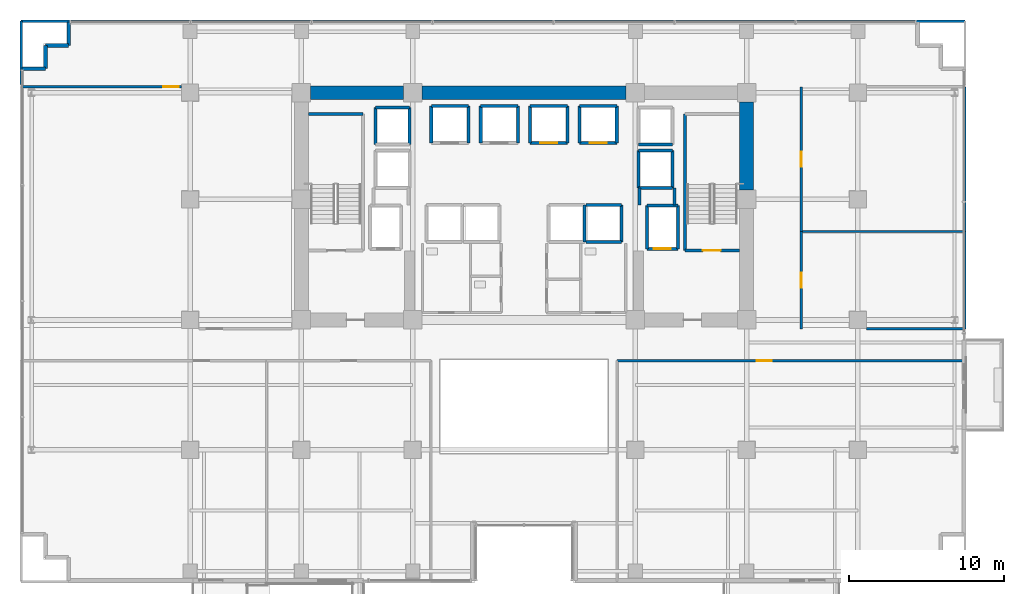
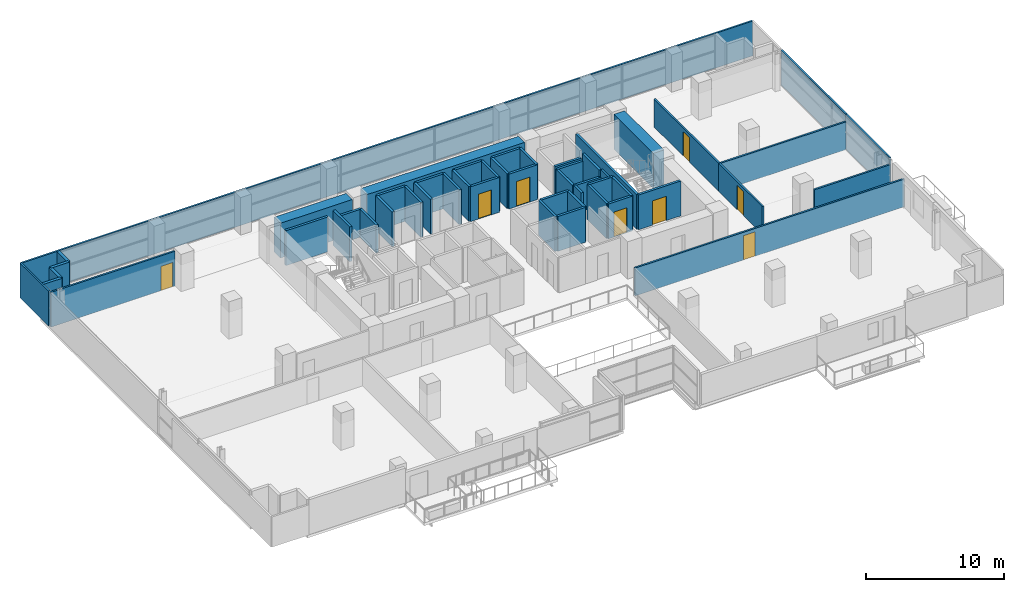
# One storey, part 24 of 30: 52 walls, 8 doors, 8 openings.
"""IFC4 building model written with IfcOpenShell, lengths in metres."""

from ifc_helpers import new_model, si_unit, direction, frame, frame_2d, origin, place, context, subcontext, project, spatial, rectangle, extrude, source, transform, mapped, material, layer, layer_set, type_object, element, fill, save


model = new_model("IFC4")

# Units and contexts
model_context = context("Model", 3, precision=1e-05, world=origin(), true_north=direction((0.0, 1.0)))
body_context = subcontext(model_context, "Body", "Model", "MODEL_VIEW")
ifc_project = project(units=[si_unit("LENGTHUNIT", "METRE"), si_unit("AREAUNIT", "SQUARE_METRE"), si_unit("VOLUMEUNIT", "CUBIC_METRE"), si_unit("PLANEANGLEUNIT", "RADIAN"), si_unit("MASSUNIT", "GRAM", prefix="KILO")], contexts=[model_context])

# Site, building, storey
site_placement = place(None, origin())
site = spatial("IfcSite", under=ifc_project, at=site_placement, CompositionType="ELEMENT")
building_placement = place(site_placement, origin())
building = spatial("IfcBuilding", under=site, at=building_placement, Name="Zarnakvel Exchange Tower", CompositionType="ELEMENT")
storey_placement = place(building_placement, frame((0.0, 0.0, 30.699951171875)))
storey = spatial("IfcBuildingStorey", under=building, at=storey_placement, Name="L07", CompositionType="ELEMENT", Elevation=30.699951171875)

# Walls
ifc_material_1 = material(Name="Concrete C80/95", Category="concrete")
ifc_layer_1 = layer(ifc_material_1, 0.89990234375)
ifc_layer_set_1 = layer_set([ifc_layer_1], Name="Concrete C80/95")
wall_type_1 = type_object("IfcWallType", Name="CW-C1", PredefinedType="SHEAR", material=ifc_layer_set_1)
wall_1_placement = place(storey_placement, frame((-13.800048828125, 13.5, 0.0), z_axis=(0.0, 0.0, 1.0), x_axis=(1.0, 0.0, 0.0)))
element("IfcWall", 1, at=wall_1_placement, inside=storey, type_object=wall_type_1, Name="L07 Rear Core Shear Wall N1 (CW-C1)", PredefinedType="SHEAR", context=body_context, shape_type="SweptSolid", body=[
    extrude(rectangle(XDim=6.0, YDim=0.89990234375, at=frame_2d((3.0, 0.0))), origin(), (0.0, 0.0, 1.0), 3.074951171875),
])
wall_2_placement = place(storey_placement, frame((-6.60009765625, 13.5, 0.0), z_axis=(0.0, 0.0, 1.0), x_axis=(1.0, 0.0, 0.0)))
element("IfcWall", 2, at=wall_2_placement, inside=storey, type_object=wall_type_1, Name="L07 Rear Core Shear Wall N2 (CW-C1)", PredefinedType="SHEAR", context=body_context, shape_type="SweptSolid", body=[
    extrude(rectangle(XDim=13.2001953125, YDim=0.89990234375, at=frame_2d((6.60009765625, 0.0))), origin(), (0.0, 0.0, 1.0), 3.074951171875),
])
wall_3_placement = place(storey_placement, frame((14.39990234375, 7.199951171875, 0.0), z_axis=(0.0, 0.0, 1.0), x_axis=(0.0, 1.0, 0.0)))
element("IfcWall", 3, at=wall_3_placement, inside=storey, type_object=wall_type_1, Name="L07 Rear Core Shear Wall E2 (CW-C1)", PredefinedType="SHEAR", context=body_context, shape_type="SweptSolid", body=[
    extrude(rectangle(XDim=5.699951171875, YDim=0.89990234375, at=frame_2d((2.85009765625, 0.0))), origin(), (0.0, 0.0, 1.0), 3.074951171875),
])
ifc_material_2 = material(Name="Precast concrete C40/50", Category="concrete")
ifc_layer_2 = layer(ifc_material_2, 0.239990234375)
ifc_layer_set_2 = layer_set([ifc_layer_2], Name="Precast concrete C40/50")
wall_type_2 = type_object("IfcWallType", Name="EW-02", PredefinedType="SOLIDWALL", material=ifc_layer_set_2)
for number, where, z_axis, x_axis, name in (
    (4, (-30.9599609375, 15.06005859375, 0.0), (0.0, 0.0, 1.0), (-1.0, 0.0, 0.0), "L07 Exterior Precast Spandrel Wall EWC-L07-01 (EW-02)"),
    (5, (-30.9599609375, 16.56005859375, 0.0), (0.0, 0.0, 1.0), (0.0, -1.0, 0.0), "L07 Exterior Precast Spandrel Wall EWC-L07-02 (EW-02)"),
    (6, (-29.4599609375, 16.56005859375, 0.0), (0.0, 0.0, 1.0), (-1.0, 0.0, 0.0), "L07 Exterior Precast Spandrel Wall EWC-L07-03 (EW-02)"),
    (7, (-29.4599609375, 18.06005859375, 0.0), (0.0, 0.0, 1.0), (0.0, -1.0, 0.0), "L07 Exterior Precast Spandrel Wall EWC-L07-04 (EW-02)"),
):
    element("IfcWall", number, at=place(storey_placement, frame(where, z_axis=z_axis, x_axis=x_axis)), inside=storey, type_object=wall_type_2, Name=name, PredefinedType="SOLIDWALL", context=body_context, shape_type="SweptSolid", body=[
        extrude(rectangle(XDim=1.5, YDim=0.239990234375, at=frame_2d((0.75, 0.0))), origin(), (0.0, 0.0, 1.0), 3.074951171875),
    ])

# Wall, opening, door
ifc_material_3 = material(Name="Fire-Rated Gypsum Stud Partition", Category="gypsum")
ifc_layer_3 = layer(ifc_material_3, 0.14990234375)
ifc_layer_set_3 = layer_set([ifc_layer_3], Name="Fire-Rated Gypsum Stud Partition")
wall_type_3 = type_object("IfcWallType", Name="PT-01", PredefinedType="PARTITIONING", material=ifc_layer_set_3)
wall_4_placement = place(storey_placement, frame((6.02001953125, -3.830078125, 0.0), z_axis=(0.0, 0.0, 1.0), x_axis=(1.0, 0.0, 0.0)))
wall_4 = element("IfcWall", 8, at=wall_4_placement, inside=storey, type_object=wall_type_3, Name="L07 Partition Wall PWALL-L07-034 (PT-01)", PredefinedType="PARTITIONING", context=body_context, shape_type="SweptSolid", body=[
    extrude(rectangle(XDim=22.510009765625, YDim=0.14990234375, at=frame_2d((11.2548828125, 0.0))), origin(), (0.0, 0.0, 1.0), 2.465087890625),
])
opening_1_placement = place(wall_4_placement, frame((9.0400390625, 0.0, 0.0)))
opening_1 = element("IfcOpeningElement", 9, at=opening_1_placement, cuts=wall_4, Name="Opening D-L07-13", PredefinedType="OPENING", context=body_context, shape_type="SweptSolid", body=[
    extrude(rectangle(XDim=0.97998046875, YDim=2.14990234375, at=frame_2d((0.489990234375, 1.074951171875))), frame((0.0, 0.0849609375, 0.0), z_axis=(0.0, -1.0, 0.0), x_axis=(1.0, 0.0, 0.0)), (0.0, 0.0, 1.0), 0.169921875),
])
ifc_material_4 = material(Name="Timber Acoustic Veneer", Category="wood")
door_type_1 = type_object("IfcDoorType", Name="DT-05", OperationType="NOTDEFINED", PredefinedType="DOOR", material=ifc_material_4)
shared_shape_1 = source(origin(), body_context, "Body", "SweptSolid", [
    extrude(rectangle(XDim=0.97998046875, YDim=2.14990234375, at=frame_2d((0.489990234375, 1.074951171875))), frame((0.0, 0.02490234375, 0.0), z_axis=(0.0, -1.0, 0.0), x_axis=(1.0, 0.0, 0.0)), (0.0, 0.0, 1.0), 0.050048828125),
])
door_1_placement = place(opening_1_placement, origin())
door_1 = element("IfcDoor", 10, at=door_1_placement, inside=storey, type_object=door_type_1, Name="L07 Executive Office Door D-L07-13", OperationType="SINGLE_SWING_RIGHT", OverallHeight=2.14990234375, OverallWidth=0.97998046875, PredefinedType="DOOR", context=body_context, shape_type="MappedRepresentation", body=[
    mapped(shared_shape_1, transform((0.0, 0.0, 0.0), x_axis=(1.0, 0.0, 0.0), y_axis=(0.0, 1.0, 0.0), z_axis=(0.0, 0.0, 1.0), scale=1.0)),
])
fill(opening_1, door_1)

wall_5_placement = place(storey_placement, frame((-32.530029296875, 13.8798828125, 0.0), z_axis=(0.0, 0.0, 1.0), x_axis=(1.0, 0.0, 0.0)))
wall_5 = element("IfcWall", 11, at=wall_5_placement, inside=storey, type_object=wall_type_3, Name="L07 Partition Wall PWALL-L07-038 (PT-01)", PredefinedType="PARTITIONING", context=body_context, shape_type="SweptSolid", body=[
    extrude(rectangle(XDim=10.360107421875, YDim=0.14990234375, at=frame_2d((5.18017578125, 0.0))), origin(), (0.0, 0.0, 1.0), 3.074951171875),
])
opening_2_placement = place(wall_5_placement, frame((9.199951171875, 0.0, 0.0)))
opening_2 = element("IfcOpeningElement", 12, at=opening_2_placement, cuts=wall_5, Name="Opening D-L07-17", PredefinedType="OPENING", context=body_context, shape_type="SweptSolid", body=[
    extrude(rectangle(XDim=0.97998046875, YDim=2.14990234375, at=frame_2d((0.489990234375, 1.074951171875))), frame((0.0, 0.0849609375, 0.0), z_axis=(0.0, -1.0, 0.0), x_axis=(1.0, 0.0, 0.0)), (0.0, 0.0, 1.0), 0.169921875),
])
door_2_placement = place(opening_2_placement, origin())
door_2 = element("IfcDoor", 13, at=door_2_placement, inside=storey, type_object=door_type_1, Name="L07 Market Data Suite Door D-L07-17", OperationType="SINGLE_SWING_RIGHT", OverallHeight=2.14990234375, OverallWidth=0.97998046875, PredefinedType="DOOR", context=body_context, shape_type="MappedRepresentation", body=[
    mapped(shared_shape_1, transform((0.0, 0.0, 0.0), x_axis=(1.0, 0.0, 0.0), y_axis=(0.0, 1.0, 0.0), z_axis=(0.0, 0.0, 1.0), scale=1.0)),
])
fill(opening_2, door_2)

# Walls
wall_6_placement = place(storey_placement, frame((28.530029296875, -1.77001953125, 0.0), z_axis=(0.0, 0.0, 1.0), x_axis=(-1.0, 0.0, 0.0)))
element("IfcWall", 14, at=wall_6_placement, inside=storey, type_object=wall_type_3, Name="L07 Partition Wall PWALL-L07-040 (PT-01)", PredefinedType="PARTITIONING", context=body_context, shape_type="SweptSolid", body=[
    extrude(rectangle(XDim=6.360107421875, YDim=0.14990234375, at=frame_2d((3.18017578125, 0.0))), origin(), (0.0, 0.0, 1.0), 2.465087890625),
])
wall_7_placement = place(storey_placement, frame((17.929931640625, 4.52197265625, 0.0), z_axis=(0.0, 0.0, 1.0), x_axis=(1.0, 0.0, 0.0)))
element("IfcWall", 15, at=wall_7_placement, inside=storey, type_object=wall_type_3, Name="L07 Partition Wall PWALL-L07-041 (PT-01)", PredefinedType="PARTITIONING", context=body_context, shape_type="SweptSolid", body=[
    extrude(rectangle(XDim=10.60009765625, YDim=0.14990234375, at=frame_2d((5.300048828125, 0.0))), origin(), (0.0, 0.0, 1.0), 2.465087890625),
])

# Wall, opening, door
wall_8_placement = place(storey_placement, frame((17.929931640625, -1.77001953125, 0.0), z_axis=(0.0, 0.0, 1.0), x_axis=(0.0, 1.0, 0.0)))
wall_8 = element("IfcWall", 16, at=wall_8_placement, inside=storey, type_object=wall_type_3, Name="L07 Partition Wall PWALL-L07-042 (PT-01)", PredefinedType="PARTITIONING", context=body_context, shape_type="SweptSolid", body=[
    extrude(rectangle(XDim=6.2919921875, YDim=0.14990234375, at=frame_2d((3.14599609375, 0.0))), origin(), (0.0, 0.0, 1.0), 2.465087890625),
])
opening_3_placement = place(wall_8_placement, frame((2.656005859375, 0.0, 0.0)))
opening_3 = element("IfcOpeningElement", 17, at=opening_3_placement, cuts=wall_8, Name="Opening D-L07-15", PredefinedType="OPENING", context=body_context, shape_type="SweptSolid", body=[
    extrude(rectangle(XDim=0.97998046875, YDim=2.14990234375, at=frame_2d((0.489990234375, 1.074951171875))), frame((0.0, 0.0849609375, 0.0), z_axis=(0.0, -1.0, 0.0), x_axis=(1.0, 0.0, 0.0)), (0.0, 0.0, 1.0), 0.169921875),
])
door_3_placement = place(opening_3_placement, origin())
door_3 = element("IfcDoor", 18, at=door_3_placement, inside=storey, type_object=door_type_1, Name="L07 Staff Pantry Door D-L07-15", OperationType="SINGLE_SWING_RIGHT", OverallHeight=2.14990234375, OverallWidth=0.97998046875, PredefinedType="DOOR", context=body_context, shape_type="MappedRepresentation", body=[
    mapped(shared_shape_1, transform((0.0, 0.0, 0.0), x_axis=(1.0, 0.0, 0.0), y_axis=(0.0, 1.0, 0.0), z_axis=(0.0, 0.0, 1.0), scale=1.0)),
])
fill(opening_3, door_3)

# Wall
wall_9_placement = place(storey_placement, frame((28.530029296875, 4.52197265625, 0.0), z_axis=(0.0, 0.0, 1.0), x_axis=(0.0, -1.0, 0.0)))
element("IfcWall", 19, at=wall_9_placement, inside=storey, type_object=wall_type_3, Name="L07 Partition Wall PWALL-L07-043 (PT-01)", PredefinedType="PARTITIONING", context=body_context, shape_type="SweptSolid", body=[
    extrude(rectangle(XDim=6.2919921875, YDim=0.14990234375, at=frame_2d((3.14599609375, 0.0))), origin(), (0.0, 0.0, 1.0), 3.074951171875),
])

# Wall, opening, door
wall_10_placement = place(storey_placement, frame((17.929931640625, 4.52197265625, 0.0), z_axis=(0.0, 0.0, 1.0), x_axis=(0.0, 1.0, 0.0)))
wall_10 = element("IfcWall", 20, at=wall_10_placement, inside=storey, type_object=wall_type_3, Name="L07 Partition Wall PWALL-L07-045 (PT-01)", PredefinedType="PARTITIONING", context=body_context, shape_type="SweptSolid", body=[
    extrude(rectangle(XDim=9.35791015625, YDim=0.14990234375, at=frame_2d((4.678955078125, 0.0))), origin(), (0.0, 0.0, 1.0), 2.465087890625),
])
opening_4_placement = place(wall_10_placement, frame((4.18896484375, 0.0, 0.0)))
opening_4 = element("IfcOpeningElement", 21, at=opening_4_placement, cuts=wall_10, Name="Opening D-L07-16", PredefinedType="OPENING", context=body_context, shape_type="SweptSolid", body=[
    extrude(rectangle(XDim=0.97998046875, YDim=2.14990234375, at=frame_2d((0.489990234375, 1.074951171875))), frame((0.0, 0.0849609375, 0.0), z_axis=(0.0, -1.0, 0.0), x_axis=(1.0, 0.0, 0.0)), (0.0, 0.0, 1.0), 0.169921875),
])
door_4_placement = place(opening_4_placement, origin())
door_4 = element("IfcDoor", 22, at=door_4_placement, inside=storey, type_object=door_type_1, Name="L07 Market Data Suite Door D-L07-16", OperationType="SINGLE_SWING_LEFT", OverallHeight=2.14990234375, OverallWidth=0.97998046875, PredefinedType="DOOR", context=body_context, shape_type="MappedRepresentation", body=[
    mapped(shared_shape_1, transform((0.0, 0.0, 0.0), x_axis=(1.0, 0.0, 0.0), y_axis=(0.0, 1.0, 0.0), z_axis=(0.0, 0.0, 1.0), scale=1.0)),
])
fill(opening_4, door_4)

# Walls
wall_11_placement = place(storey_placement, frame((28.530029296875, 13.8798828125, 0.0), z_axis=(0.0, 0.0, 1.0), x_axis=(0.0, -1.0, 0.0)))
element("IfcWall", 23, at=wall_11_placement, inside=storey, type_object=wall_type_3, Name="L07 Partition Wall PWALL-L07-046 (PT-01)", PredefinedType="PARTITIONING", context=body_context, shape_type="SweptSolid", body=[
    extrude(rectangle(XDim=9.35791015625, YDim=0.14990234375, at=frame_2d((4.678955078125, 0.0))), origin(), (0.0, 0.0, 1.0), 3.074951171875),
])
wall_12_placement = place(storey_placement, frame((-32.530029296875, 18.1298828125, 0.0), z_axis=(0.0, 0.0, 1.0), x_axis=(1.0, 0.0, 0.0)))
element("IfcWall", 24, at=wall_12_placement, inside=storey, type_object=wall_type_3, Name="L07 Partition Wall PWALL-L07-047 (PT-01)", PredefinedType="PARTITIONING", context=body_context, shape_type="SweptSolid", body=[
    extrude(rectangle(XDim=61.06005859375, YDim=0.14990234375, at=frame_2d((30.530029296875, 0.0))), origin(), (0.0, 0.0, 1.0), 3.074951171875),
])
wall_13_placement = place(storey_placement, frame((-32.530029296875, 14.030029296875, 0.0), z_axis=(0.0, 0.0, 1.0), x_axis=(0.0, 1.0, 0.0)))
element("IfcWall", 25, at=wall_13_placement, inside=storey, type_object=wall_type_3, Name="L07 Partition Wall PWALL-L07-048 (PT-01)", PredefinedType="PARTITIONING", context=body_context, shape_type="SweptSolid", body=[
    extrude(rectangle(XDim=4.099853515625, YDim=0.14990234375, at=frame_2d((2.0498046875, 0.0))), origin(), (0.0, 0.0, 1.0), 3.074951171875),
])
ifc_layer_4 = layer(ifc_material_3, 0.179931640625)
ifc_layer_set_4 = layer_set([ifc_layer_4], Name="Fire-Rated Gypsum Stud Partition")
wall_type_4 = type_object("IfcWallType", Name="PT-02", PredefinedType="PARTITIONING", material=ifc_layer_set_4)
wall_14_placement = place(storey_placement, frame((7.469970703125, 6.239990234375, 0.0), z_axis=(0.0, 0.0, 1.0), x_axis=(0.0, 1.0, 0.0)))
element("IfcWall", 26, at=wall_14_placement, inside=storey, type_object=wall_type_4, Name="L07 Partition Wall PWALL-L07-009 (PT-02)", PredefinedType="PARTITIONING", context=body_context, shape_type="SweptSolid", body=[
    extrude(rectangle(XDim=1.090087890625, YDim=0.179931640625, at=frame_2d((0.544921875, 0.0))), origin(), (0.0, 0.0, 1.0), 2.465087890625),
])
wall_15_placement = place(storey_placement, frame((9.72998046875, 7.330078125, 0.0), z_axis=(0.0, 0.0, 1.0), x_axis=(0.0, -1.0, 0.0)))
element("IfcWall", 27, at=wall_15_placement, inside=storey, type_object=wall_type_4, Name="L07 Partition Wall PWALL-L07-010 (PT-02)", PredefinedType="PARTITIONING", context=body_context, shape_type="SweptSolid", body=[
    extrude(rectangle(XDim=1.090087890625, YDim=0.179931640625, at=frame_2d((0.544921875, 0.0))), origin(), (0.0, 0.0, 1.0), 3.074951171875),
])

# Wall, opening, door
ifc_material_5 = material(Name="Concrete C40/50", Category="concrete")
ifc_layer_5 = layer(ifc_material_5, 0.199951171875)
ifc_layer_set_5 = layer_set([ifc_layer_5], Name="Concrete C40/50")
wall_type_5 = type_object("IfcWallType", Name="SW-01", PredefinedType="SOLIDWALL", material=ifc_layer_set_5)
wall_16_placement = place(storey_placement, frame((9.949951171875, 3.39990234375, 0.0), z_axis=(0.0, 0.0, 1.0), x_axis=(-1.0, 0.0, 0.0)))
wall_16 = element("IfcWall", 28, at=wall_16_placement, inside=storey, type_object=wall_type_5, Name="L07 FL-02 Hoistway Wall South", PredefinedType="SOLIDWALL", context=body_context, shape_type="SweptSolid", body=[
    extrude(rectangle(XDim=2.0, YDim=0.199951171875, at=frame_2d((1.0, 0.0))), origin(), (0.0, 0.0, 1.0), 3.074951171875),
])
opening_5_placement = place(wall_16_placement, frame((0.449951171875, 0.0, 0.0)))
opening_5 = element("IfcOpeningElement", 29, at=opening_5_placement, cuts=wall_16, Name="Opening LD-FL-02-L07", PredefinedType="OPENING", context=body_context, shape_type="SweptSolid", body=[
    extrude(rectangle(XDim=1.10009765625, YDim=2.199951171875, at=frame_2d((0.550048828125, 1.10009765625))), frame((0.0, 0.10986328125, 0.0), z_axis=(0.0, -1.0, 0.0), x_axis=(1.0, 0.0, 0.0)), (0.0, 0.0, 1.0), 0.219970703125),
])
ifc_material_6 = material(Name="Brushed Stainless Steel", Category="steel")
door_type_2 = type_object("IfcDoorType", Name="LDT-01", OperationType="NOTDEFINED", PredefinedType="DOOR", material=ifc_material_6)
shared_shape_2 = source(origin(), body_context, "Body", "SweptSolid", [
    extrude(rectangle(XDim=1.10009765625, YDim=2.199951171875, at=frame_2d((0.550048828125, 1.10009765625))), frame((0.0, 0.02490234375, 0.0), z_axis=(0.0, -1.0, 0.0), x_axis=(1.0, 0.0, 0.0)), (0.0, 0.0, 1.0), 0.050048828125),
])
door_5_placement = place(opening_5_placement, origin())
door_5 = element("IfcDoor", 30, at=door_5_placement, inside=storey, type_object=door_type_2, Name="L07 FL-02 Lift Landing Door LD-FL-02-L07", OperationType="DOUBLE_DOOR_SLIDING", OverallHeight=2.199951171875, OverallWidth=1.10009765625, PredefinedType="DOOR", context=body_context, shape_type="MappedRepresentation", body=[
    mapped(shared_shape_2, transform((0.0, 0.0, 0.0), x_axis=(1.0, 0.0, 0.0), y_axis=(0.0, 1.0, 0.0), z_axis=(0.0, 0.0, 1.0), scale=1.0)),
])
fill(opening_5, door_5)

# Walls
wall_17_placement = place(storey_placement, frame((7.949951171875, 6.199951171875, 0.0), z_axis=(0.0, 0.0, 1.0), x_axis=(1.0, 0.0, 0.0)))
element("IfcWall", 31, at=wall_17_placement, inside=storey, type_object=wall_type_5, Name="L07 FL-02 Hoistway Wall North", PredefinedType="SOLIDWALL", context=body_context, shape_type="SweptSolid", body=[
    extrude(rectangle(XDim=2.0, YDim=0.199951171875, at=frame_2d((1.0, 0.0))), origin(), (0.0, 0.0, 1.0), 3.074951171875),
])
for number, where, z_axis, x_axis, name in (
    (32, (7.949951171875, 3.39990234375, 0.0), (0.0, 0.0, 1.0), (0.0, 1.0, 0.0), "L07 FL-02 Hoistway Wall West"),
    (33, (9.949951171875, 6.199951171875, 0.0), (0.0, 0.0, 1.0), (0.0, -1.0, 0.0), "L07 FL-02 Hoistway Wall East"),
):
    element("IfcWall", number, at=place(storey_placement, frame(where, z_axis=z_axis, x_axis=x_axis)), inside=storey, type_object=wall_type_5, Name=name, PredefinedType="SOLIDWALL", context=body_context, shape_type="SweptSolid", body=[
        extrude(rectangle(XDim=2.800048828125, YDim=0.199951171875, at=frame_2d((1.39990234375, 0.0))), origin(), (0.0, 0.0, 1.0), 3.074951171875),
    ])
for number, where, z_axis, x_axis, name in (
    (34, (-6.0, 12.64990234375, 0.0), (0.0, 0.0, 1.0), (1.0, 0.0, 0.0), "L07 PL-01 Hoistway Wall North"),
    (35, (-6.0, 10.25, 0.0), (0.0, 0.0, 1.0), (0.0, 1.0, 0.0), "L07 PL-01 Hoistway Wall West"),
    (36, (-3.60009765625, 12.64990234375, 0.0), (0.0, 0.0, 1.0), (0.0, -1.0, 0.0), "L07 PL-01 Hoistway Wall East"),
):
    element("IfcWall", number, at=place(storey_placement, frame(where, z_axis=z_axis, x_axis=x_axis)), inside=storey, type_object=wall_type_5, Name=name, PredefinedType="SOLIDWALL", context=body_context, shape_type="SweptSolid", body=[
        extrude(rectangle(XDim=2.39990234375, YDim=0.199951171875, at=frame_2d((1.199951171875, 0.0))), origin(), (0.0, 0.0, 1.0), 3.074951171875),
    ])
wall_18_placement = place(storey_placement, frame((-2.800048828125, 12.64990234375, 0.0), z_axis=(0.0, 0.0, 1.0), x_axis=(1.0, 0.0, 0.0)))
element("IfcWall", 37, at=wall_18_placement, inside=storey, type_object=wall_type_5, Name="L07 PL-02 Hoistway Wall North", PredefinedType="SOLIDWALL", context=body_context, shape_type="SweptSolid", body=[
    extrude(rectangle(XDim=2.400146484375, YDim=0.199951171875, at=frame_2d((1.2001953125, 0.0))), origin(), (0.0, 0.0, 1.0), 3.074951171875),
])
for number, where, z_axis, x_axis, name in (
    (38, (-2.800048828125, 10.25, 0.0), (0.0, 0.0, 1.0), (0.0, 1.0, 0.0), "L07 PL-02 Hoistway Wall West"),
    (39, (-0.39990234375, 12.64990234375, 0.0), (0.0, 0.0, 1.0), (0.0, -1.0, 0.0), "L07 PL-02 Hoistway Wall East"),
):
    element("IfcWall", number, at=place(storey_placement, frame(where, z_axis=z_axis, x_axis=x_axis)), inside=storey, type_object=wall_type_5, Name=name, PredefinedType="SOLIDWALL", context=body_context, shape_type="SweptSolid", body=[
        extrude(rectangle(XDim=2.39990234375, YDim=0.199951171875, at=frame_2d((1.199951171875, 0.0))), origin(), (0.0, 0.0, 1.0), 3.074951171875),
    ])

# Wall, opening, door
wall_19_placement = place(storey_placement, frame((2.800048828125, 10.25, 0.0), z_axis=(0.0, 0.0, 1.0), x_axis=(-1.0, 0.0, 0.0)))
wall_19 = element("IfcWall", 40, at=wall_19_placement, inside=storey, type_object=wall_type_5, Name="L07 PL-03 Hoistway Wall South", PredefinedType="SOLIDWALL", context=body_context, shape_type="SweptSolid", body=[
    extrude(rectangle(XDim=2.400146484375, YDim=0.199951171875, at=frame_2d((1.2001953125, 0.0))), origin(), (0.0, 0.0, 1.0), 3.074951171875),
])
opening_6_placement = place(wall_19_placement, frame((0.64990234375, 0.0, 0.0)))
opening_6 = element("IfcOpeningElement", 41, at=opening_6_placement, cuts=wall_19, Name="Opening LD-PL-03-L07", PredefinedType="OPENING", context=body_context, shape_type="SweptSolid", body=[
    extrude(rectangle(XDim=1.10009765625, YDim=2.199951171875, at=frame_2d((0.550048828125, 1.10009765625))), frame((0.0, 0.10986328125, 0.0), z_axis=(0.0, -1.0, 0.0), x_axis=(1.0, 0.0, 0.0)), (0.0, 0.0, 1.0), 0.219970703125),
])
ifc_material_7 = material(Name="Architectural Bronze Anodised Aluminium", Category="aluminium")
door_type_3 = type_object("IfcDoorType", Name="LDT-02", OperationType="NOTDEFINED", PredefinedType="DOOR", material=ifc_material_7)
door_6_placement = place(opening_6_placement, origin())
door_6 = element("IfcDoor", 42, at=door_6_placement, inside=storey, type_object=door_type_3, Name="L07 PL-03 Lift Landing Door LD-PL-03-L07", OperationType="DOUBLE_DOOR_SLIDING", OverallHeight=2.199951171875, OverallWidth=1.10009765625, PredefinedType="DOOR", context=body_context, shape_type="MappedRepresentation", body=[
    mapped(shared_shape_2, transform((0.0, 0.0, 0.0), x_axis=(1.0, 0.0, 0.0), y_axis=(0.0, 1.0, 0.0), z_axis=(0.0, 0.0, 1.0), scale=1.0)),
])
fill(opening_6, door_6)

# Walls
wall_20_placement = place(storey_placement, frame((0.39990234375, 12.64990234375, 0.0), z_axis=(0.0, 0.0, 1.0), x_axis=(1.0, 0.0, 0.0)))
element("IfcWall", 43, at=wall_20_placement, inside=storey, type_object=wall_type_5, Name="L07 PL-03 Hoistway Wall North", PredefinedType="SOLIDWALL", context=body_context, shape_type="SweptSolid", body=[
    extrude(rectangle(XDim=2.400146484375, YDim=0.199951171875, at=frame_2d((1.2001953125, 0.0))), origin(), (0.0, 0.0, 1.0), 3.074951171875),
])
for number, where, z_axis, x_axis, name in (
    (44, (0.39990234375, 10.25, 0.0), (0.0, 0.0, 1.0), (0.0, 1.0, 0.0), "L07 PL-03 Hoistway Wall West"),
    (45, (2.800048828125, 12.64990234375, 0.0), (0.0, 0.0, 1.0), (0.0, -1.0, 0.0), "L07 PL-03 Hoistway Wall East"),
):
    element("IfcWall", number, at=place(storey_placement, frame(where, z_axis=z_axis, x_axis=x_axis)), inside=storey, type_object=wall_type_5, Name=name, PredefinedType="SOLIDWALL", context=body_context, shape_type="SweptSolid", body=[
        extrude(rectangle(XDim=2.39990234375, YDim=0.199951171875, at=frame_2d((1.199951171875, 0.0))), origin(), (0.0, 0.0, 1.0), 3.074951171875),
    ])

# Wall, opening, door
wall_21_placement = place(storey_placement, frame((6.0, 10.25, 0.0), z_axis=(0.0, 0.0, 1.0), x_axis=(-1.0, 0.0, 0.0)))
wall_21 = element("IfcWall", 46, at=wall_21_placement, inside=storey, type_object=wall_type_5, Name="L07 PL-04 Hoistway Wall South", PredefinedType="SOLIDWALL", context=body_context, shape_type="SweptSolid", body=[
    extrude(rectangle(XDim=2.39990234375, YDim=0.199951171875, at=frame_2d((1.199951171875, 0.0))), origin(), (0.0, 0.0, 1.0), 3.074951171875),
])
opening_7_placement = place(wall_21_placement, frame((0.64990234375, 0.0, 0.0)))
opening_7 = element("IfcOpeningElement", 47, at=opening_7_placement, cuts=wall_21, Name="Opening LD-PL-04-L07", PredefinedType="OPENING", context=body_context, shape_type="SweptSolid", body=[
    extrude(rectangle(XDim=1.10009765625, YDim=2.199951171875, at=frame_2d((0.550048828125, 1.10009765625))), frame((0.0, 0.10986328125, 0.0), z_axis=(0.0, -1.0, 0.0), x_axis=(1.0, 0.0, 0.0)), (0.0, 0.0, 1.0), 0.219970703125),
])
door_7_placement = place(opening_7_placement, origin())
door_7 = element("IfcDoor", 48, at=door_7_placement, inside=storey, type_object=door_type_3, Name="L07 PL-04 Lift Landing Door LD-PL-04-L07", OperationType="DOUBLE_DOOR_SLIDING", OverallHeight=2.199951171875, OverallWidth=1.10009765625, PredefinedType="DOOR", context=body_context, shape_type="MappedRepresentation", body=[
    mapped(shared_shape_2, transform((0.0, 0.0, 0.0), x_axis=(1.0, 0.0, 0.0), y_axis=(0.0, 1.0, 0.0), z_axis=(0.0, 0.0, 1.0), scale=1.0)),
])
fill(opening_7, door_7)

# Walls
for number, where, z_axis, x_axis, name in (
    (49, (3.60009765625, 12.64990234375, 0.0), (0.0, 0.0, 1.0), (1.0, 0.0, 0.0), "L07 PL-04 Hoistway Wall North"),
    (50, (3.60009765625, 10.25, 0.0), (0.0, 0.0, 1.0), (0.0, 1.0, 0.0), "L07 PL-04 Hoistway Wall West"),
    (51, (6.0, 12.64990234375, 0.0), (0.0, 0.0, 1.0), (0.0, -1.0, 0.0), "L07 PL-04 Hoistway Wall East"),
    (52, (3.89990234375, 6.25, 0.0), (0.0, 0.0, 1.0), (0.0, -1.0, 0.0), "L07 PL-07 Hoistway Wall East"),
):
    element("IfcWall", number, at=place(storey_placement, frame(where, z_axis=z_axis, x_axis=x_axis)), inside=storey, type_object=wall_type_5, Name=name, PredefinedType="SOLIDWALL", context=body_context, shape_type="SweptSolid", body=[
        extrude(rectangle(XDim=2.39990234375, YDim=0.199951171875, at=frame_2d((1.199951171875, 0.0))), origin(), (0.0, 0.0, 1.0), 3.074951171875),
    ])
for number, where, z_axis, x_axis, name in (
    (53, (6.300048828125, 3.85009765625, 0.0), (0.0, 0.0, 1.0), (-1.0, 0.0, 0.0), "L07 PL-08 Hoistway Wall South"),
    (54, (4.0, 6.25, 0.0), (0.0, 0.0, 1.0), (1.0, 0.0, 0.0), "L07 PL-08 Hoistway Wall North"),
):
    element("IfcWall", number, at=place(storey_placement, frame(where, z_axis=z_axis, x_axis=x_axis)), inside=storey, type_object=wall_type_5, Name=name, PredefinedType="SOLIDWALL", context=body_context, shape_type="SweptSolid", body=[
        extrude(rectangle(XDim=2.300048828125, YDim=0.199951171875, at=frame_2d((1.14990234375, 0.0))), origin(), (0.0, 0.0, 1.0), 3.074951171875),
    ])
wall_22_placement = place(storey_placement, frame((6.300048828125, 6.25, 0.0), z_axis=(0.0, 0.0, 1.0), x_axis=(0.0, -1.0, 0.0)))
element("IfcWall", 55, at=wall_22_placement, inside=storey, type_object=wall_type_5, Name="L07 PL-08 Hoistway Wall East", PredefinedType="SOLIDWALL", context=body_context, shape_type="SweptSolid", body=[
    extrude(rectangle(XDim=2.39990234375, YDim=0.199951171875, at=frame_2d((1.199951171875, 0.0))), origin(), (0.0, 0.0, 1.0), 3.074951171875),
])
wall_23_placement = place(storey_placement, frame((-9.60009765625, 12.550048828125, 0.0), z_axis=(0.0, 0.0, 1.0), x_axis=(1.0, 0.0, 0.0)))
element("IfcWall", 56, at=wall_23_placement, inside=storey, type_object=wall_type_5, Name="L07 PL-10 Hoistway Wall North", PredefinedType="SOLIDWALL", context=body_context, shape_type="SweptSolid", body=[
    extrude(rectangle(XDim=2.2001953125, YDim=0.199951171875, at=frame_2d((1.10009765625, 0.0))), origin(), (0.0, 0.0, 1.0), 2.465087890625),
])
wall_24_placement = place(storey_placement, frame((-9.60009765625, 10.14990234375, 0.0), z_axis=(0.0, 0.0, 1.0), x_axis=(0.0, 1.0, 0.0)))
element("IfcWall", 57, at=wall_24_placement, inside=storey, type_object=wall_type_5, Name="L07 PL-10 Hoistway Wall West", PredefinedType="SOLIDWALL", context=body_context, shape_type="SweptSolid", body=[
    extrude(rectangle(XDim=2.400146484375, YDim=0.199951171875, at=frame_2d((1.2001953125, 0.0))), origin(), (0.0, 0.0, 1.0), 3.074951171875),
])
wall_25_placement = place(storey_placement, frame((-7.39990234375, 12.550048828125, 0.0), z_axis=(0.0, 0.0, 1.0), x_axis=(0.0, -1.0, 0.0)))
element("IfcWall", 58, at=wall_25_placement, inside=storey, type_object=wall_type_5, Name="L07 PL-10 Hoistway Wall East", PredefinedType="SOLIDWALL", context=body_context, shape_type="SweptSolid", body=[
    extrude(rectangle(XDim=2.400146484375, YDim=0.199951171875, at=frame_2d((1.2001953125, 0.0))), origin(), (0.0, 0.0, 1.0), 2.465087890625),
])
for number, where, z_axis, x_axis, name in (
    (59, (9.60009765625, 7.35009765625, 0.0), (0.0, 0.0, 1.0), (-1.0, 0.0, 0.0), "L07 PL-11 Hoistway Wall South"),
    (60, (7.39990234375, 9.75, 0.0), (0.0, 0.0, 1.0), (1.0, 0.0, 0.0), "L07 PL-11 Hoistway Wall North"),
):
    element("IfcWall", number, at=place(storey_placement, frame(where, z_axis=z_axis, x_axis=x_axis)), inside=storey, type_object=wall_type_5, Name=name, PredefinedType="SOLIDWALL", context=body_context, shape_type="SweptSolid", body=[
        extrude(rectangle(XDim=2.2001953125, YDim=0.199951171875, at=frame_2d((1.10009765625, 0.0))), origin(), (0.0, 0.0, 1.0), 2.465087890625),
    ])
wall_26_placement = place(storey_placement, frame((7.39990234375, 7.35009765625, 0.0), z_axis=(0.0, 0.0, 1.0), x_axis=(0.0, 1.0, 0.0)))
element("IfcWall", 61, at=wall_26_placement, inside=storey, type_object=wall_type_5, Name="L07 PL-11 Hoistway Wall West", PredefinedType="SOLIDWALL", context=body_context, shape_type="SweptSolid", body=[
    extrude(rectangle(XDim=2.39990234375, YDim=0.199951171875, at=frame_2d((1.199951171875, 0.0))), origin(), (0.0, 0.0, 1.0), 2.465087890625),
])
wall_27_placement = place(storey_placement, frame((9.60009765625, 9.75, 0.0), z_axis=(0.0, 0.0, 1.0), x_axis=(0.0, -1.0, 0.0)))
element("IfcWall", 62, at=wall_27_placement, inside=storey, type_object=wall_type_5, Name="L07 PL-11 Hoistway Wall East", PredefinedType="SOLIDWALL", context=body_context, shape_type="SweptSolid", body=[
    extrude(rectangle(XDim=2.39990234375, YDim=0.199951171875, at=frame_2d((1.199951171875, 0.0))), origin(), (0.0, 0.0, 1.0), 3.074951171875),
])
wall_28_placement = place(storey_placement, frame((9.60009765625, 10.14990234375, 0.0), z_axis=(0.0, 0.0, 1.0), x_axis=(-1.0, 0.0, 0.0)))
element("IfcWall", 63, at=wall_28_placement, inside=storey, type_object=wall_type_5, Name="L07 PL-12 Hoistway Wall South", PredefinedType="SOLIDWALL", context=body_context, shape_type="SweptSolid", body=[
    extrude(rectangle(XDim=2.2001953125, YDim=0.199951171875, at=frame_2d((1.10009765625, 0.0))), origin(), (0.0, 0.0, 1.0), 2.465087890625),
])
ifc_layer_6 = layer(ifc_material_5, 0.199951171875)
ifc_layer_set_6 = layer_set([ifc_layer_6], Name="Concrete C40/50")
wall_type_6 = type_object("IfcWallType", Name="SW-02", PredefinedType="SOLIDWALL", material=ifc_layer_set_6)
wall_29_placement = place(storey_placement, frame((-13.929931640625, 12.1298828125, 0.0), z_axis=(0.0, 0.0, 1.0), x_axis=(1.0, 0.0, 0.0)))
element("IfcWall", 64, at=wall_29_placement, inside=storey, type_object=wall_type_6, Name="L07 Stairwell Core Wall PWALL-L07-002 (SW-02)", PredefinedType="SOLIDWALL", context=body_context, shape_type="SweptSolid", body=[
    extrude(rectangle(XDim=3.52001953125, YDim=0.199951171875, at=frame_2d((1.760009765625, 0.0))), origin(), (0.0, 0.0, 1.0), 3.074951171875),
])

# Wall, opening, door
wall_30_placement = place(storey_placement, frame((13.929931640625, 3.2900390625, 0.0), z_axis=(0.0, 0.0, 1.0), x_axis=(-1.0, 0.0, 0.0)))
wall_30 = element("IfcWall", 65, at=wall_30_placement, inside=storey, type_object=wall_type_6, Name="L07 Stairwell Core Wall PWALL-L07-004 (SW-02)", PredefinedType="SOLIDWALL", context=body_context, shape_type="SweptSolid", body=[
    extrude(rectangle(XDim=3.52001953125, YDim=0.199951171875, at=frame_2d((1.760009765625, 0.0))), origin(), (0.0, 0.0, 1.0), 3.074951171875),
])
opening_8_placement = place(wall_30_placement, frame((1.205078125, 0.0, 0.0)))
opening_8 = element("IfcOpeningElement", 66, at=opening_8_placement, cuts=wall_30, Name="Opening D-L07-02", PredefinedType="OPENING", context=body_context, shape_type="SweptSolid", body=[
    extrude(rectangle(XDim=1.14990234375, YDim=2.14990234375, at=frame_2d((0.574951171875, 1.074951171875))), frame((0.0, 0.10986328125, 0.0), z_axis=(0.0, -1.0, 0.0), x_axis=(1.0, 0.0, 0.0)), (0.0, 0.0, 1.0), 0.219970703125),
])
ifc_material_8 = material(Name="Painted Galvanised Steel S355", Category="steel")
door_type_4 = type_object("IfcDoorType", Name="DT-04", OperationType="NOTDEFINED", PredefinedType="DOOR", material=ifc_material_8)
shared_shape_3 = source(origin(), body_context, "Body", "SweptSolid", [
    extrude(rectangle(XDim=1.14990234375, YDim=2.14990234375, at=frame_2d((0.574951171875, 1.074951171875))), frame((0.0, 0.02490234375, 0.0), z_axis=(0.0, -1.0, 0.0), x_axis=(1.0, 0.0, 0.0)), (0.0, 0.0, 1.0), 0.050048828125),
])
door_8_placement = place(opening_8_placement, origin())
door_8 = element("IfcDoor", 67, at=door_8_placement, inside=storey, type_object=door_type_4, Name="L07 Stairwell ST-02 Door D-L07-02", OperationType="SINGLE_SWING_LEFT", OverallHeight=2.14990234375, OverallWidth=1.14990234375, PredefinedType="DOOR", context=body_context, shape_type="MappedRepresentation", body=[
    mapped(shared_shape_3, transform((0.0, 0.0, 0.0), x_axis=(1.0, 0.0, 0.0), y_axis=(0.0, 1.0, 0.0), z_axis=(0.0, 0.0, 1.0), scale=1.0)),
])
fill(opening_8, door_8)

# Wall
wall_31_placement = place(storey_placement, frame((10.409912109375, 3.2900390625, 0.0), z_axis=(0.0, 0.0, 1.0), x_axis=(0.0, 1.0, 0.0)))
element("IfcWall", 68, at=wall_31_placement, inside=storey, type_object=wall_type_6, Name="L07 Stairwell Core Wall PWALL-L07-006 (SW-02)", PredefinedType="SOLIDWALL", context=body_context, shape_type="SweptSolid", body=[
    extrude(rectangle(XDim=8.83984375, YDim=0.199951171875, at=frame_2d((4.419921875, 0.0))), origin(), (0.0, 0.0, 1.0), 3.074951171875),
])

save(model, "model.ifc")
